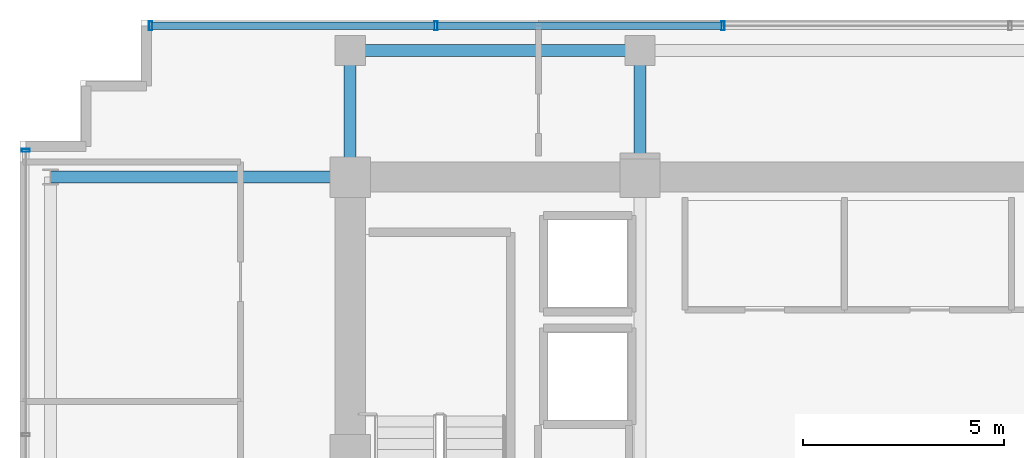
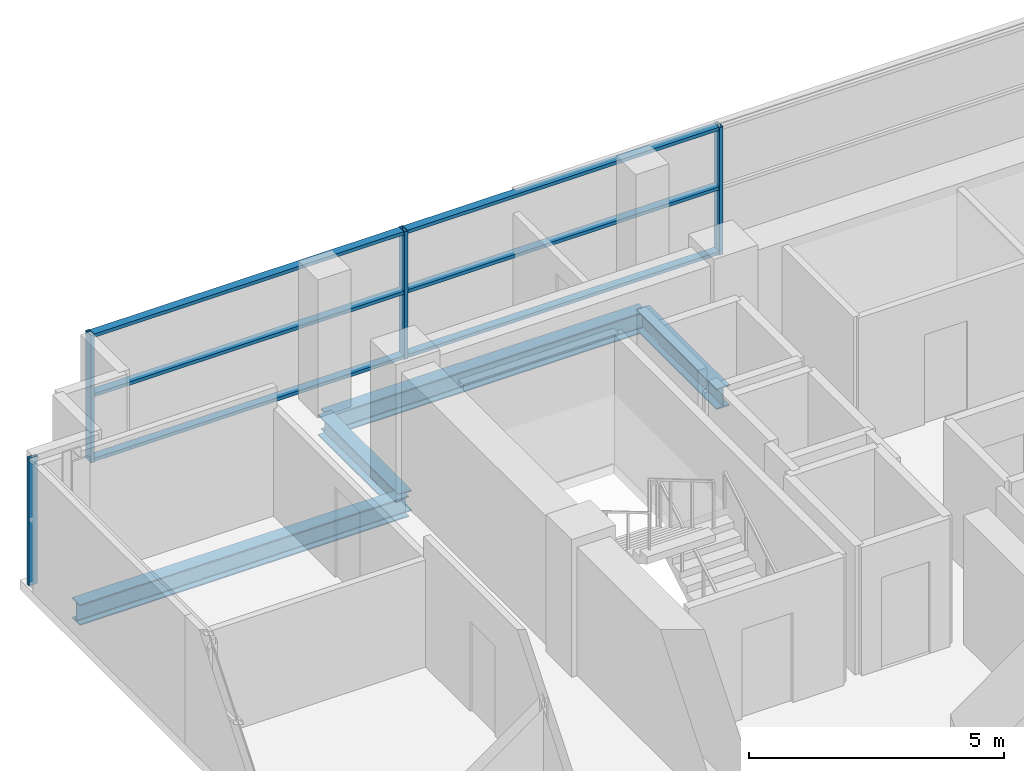
# One storey, part 11 of 23: 10 members, 4 beams, 2 elements without a shape of their own.
"""IFC4 building model written with IfcOpenShell, lengths in metres."""

from ifc_helpers import new_model, si_unit, direction, frame, origin, origin_2d, place, context, subcontext, project, spatial, hollow_rectangle, i_section, extrude, source, transform, mapped, material, layer, layer_set, material_profile, profile_set, type_object, element, aggregate, save


model = new_model("IFC4")

# Units and contexts
model_context = context("Model", 3, precision=1e-05, world=origin(), true_north=direction((0.0, 1.0)))
body_context = subcontext(model_context, "Body", "Model", "MODEL_VIEW")
ifc_project = project(units=[si_unit("LENGTHUNIT", "METRE"), si_unit("AREAUNIT", "SQUARE_METRE"), si_unit("VOLUMEUNIT", "CUBIC_METRE"), si_unit("PLANEANGLEUNIT", "RADIAN"), si_unit("MASSUNIT", "GRAM", prefix="KILO")], contexts=[model_context])

# Site, building, storey
site_placement = place(None, origin())
site = spatial("IfcSite", under=ifc_project, at=site_placement, CompositionType="ELEMENT")
building_placement = place(site_placement, origin())
building = spatial("IfcBuilding", under=site, at=building_placement, Name="Zarnakvel Exchange Tower", CompositionType="ELEMENT")
storey_placement = place(building_placement, frame((0.0, 0.0, 175.89990234375)))
storey = spatial("IfcBuildingStorey", under=building, at=storey_placement, Name="L49", CompositionType="ELEMENT", Elevation=175.89990234375)

# Beams
ifc_material_1 = material(Name="Steel S355", Category="steel")
ifc_material_profile_1 = material_profile(ifc_material_1, i_section(OverallWidth=0.300048828125, OverallDepth=0.5, WebThickness=0.014404296875, FlangeThickness=0.028076171875, FilletRadius=0.027099609375, at=origin_2d()))
ifc_profile_set_1 = profile_set([ifc_material_profile_1], Name="Steel S355")
beam_type_1 = type_object("IfcBeamType", Name="G-06", PredefinedType="BEAM", material=ifc_profile_set_1)
beam_1_placement = place(storey_placement, frame((-21.85009765625, 13.5, -0.474853515625), z_axis=(1.0, 0.0, 0.0), x_axis=(0.0, 1.0, 0.0)))
element("IfcBeam", 1, at=beam_1_placement, inside=storey, type_object=beam_type_1, Name="L49 Tower E-W Frame Beam", PredefinedType="BEAM", context=body_context, shape_type="SweptSolid", body=[
    extrude(i_section(OverallWidth=0.300048828125, OverallDepth=0.5, WebThickness=0.014404296875, FlangeThickness=0.028076171875, FilletRadius=0.027099609375, at=origin_2d()), origin(), (0.0, 0.0, 1.0), 7.4501953125),
])
for number, where, z_axis, x_axis, name in (
    (2, (-14.39990234375, 13.5, -0.474853515625), (0.0, 1.0, 0.0), (-1.0, 0.0, 0.0), "L49 Tower N-S Frame Beam"),
    (3, (-7.199951171875, 13.5, -0.474853515625), (0.0, 1.0, 0.0), (-1.0, 0.0, 0.0), "L49 Tower N-S Frame Beam"),
):
    element("IfcBeam", number, at=place(storey_placement, frame(where, z_axis=z_axis, x_axis=x_axis)), inside=storey, type_object=beam_type_1, Name=name, PredefinedType="BEAM", context=body_context, shape_type="SweptSolid", body=[
        extrude(i_section(OverallWidth=0.300048828125, OverallDepth=0.5, WebThickness=0.014404296875, FlangeThickness=0.028076171875, FilletRadius=0.027099609375, at=origin_2d()), origin(), (0.0, 0.0, 1.0), 3.14990234375),
    ])
ifc_material_profile_2 = material_profile(ifc_material_1, i_section(OverallWidth=0.300048828125, OverallDepth=0.5, WebThickness=0.014404296875, FlangeThickness=0.028076171875, FilletRadius=0.027099609375, at=origin_2d()))
ifc_profile_set_2 = profile_set([ifc_material_profile_2], Name="Steel S355")
beam_type_2 = type_object("IfcBeamType", Name="SP-02", PredefinedType="SPANDREL", material=ifc_profile_set_2)
beam_2_placement = place(storey_placement, frame((-14.39990234375, 16.64990234375, -0.474853515625), z_axis=(1.0, 0.0, 0.0), x_axis=(0.0, 1.0, 0.0)))
element("IfcBeam", 4, at=beam_2_placement, inside=storey, type_object=beam_type_2, Name="L49 Tower E-W Frame Beam", PredefinedType="SPANDREL", context=body_context, shape_type="SweptSolid", body=[
    extrude(i_section(OverallWidth=0.300048828125, OverallDepth=0.5, WebThickness=0.014404296875, FlangeThickness=0.028076171875, FilletRadius=0.027099609375, at=origin_2d()), origin(), (0.0, 0.0, 1.0), 7.199951171875),
])

# Curtain wall, member
ifc_material_2 = material(Name="Architectural Bronze Anodised Aluminium", Category="aluminium")
ifc_layer_1 = layer(ifc_material_2, 0.199951171875)
ifc_layer_set_1 = layer_set([ifc_layer_1], Name="Architectural Bronze Anodised Aluminium")
curtain_wall_type_1 = type_object("IfcCurtainWallType", Name="CW-04", PredefinedType="NOTDEFINED", material=ifc_layer_set_1)
curtain_wall_1_placement = place(storey_placement, origin())
curtain_wall_1 = element("IfcCurtainWall", 5, at=curtain_wall_1_placement, inside=storey, type_object=curtain_wall_type_1, Name="L49 Curtain Wall CW-L49-W1 (CW-04)", PredefinedType="NOTDEFINED")
ifc_material_profile_3 = material_profile(ifc_material_2, hollow_rectangle(XDim=0.199951171875, YDim=0.074951171875, WallThickness=0.0048828125, at=origin_2d()))
ifc_profile_set_3 = profile_set([ifc_material_profile_3], Name="Architectural Bronze Anodised Aluminium")
member_type_1 = type_object("IfcMemberType", Name="CWM-04", PredefinedType="MULLION", material=ifc_profile_set_3)
shared_shape_1 = source(origin(), body_context, "Body", "SweptSolid", [
    extrude(hollow_rectangle(XDim=0.199951171875, YDim=0.074951171875, WallThickness=0.0048828125, at=origin_2d()), origin(), (0.0, 0.0, 1.0), 3.05517578125),
])
member_1_placement = place(storey_placement, frame((-22.4599609375, 14.16259765625, 0.0), z_axis=(0.0, 0.0, 1.0), x_axis=(-1.0, 0.0, 0.0)))
member_1 = element("IfcMember", 6, at=member_1_placement, type_object=member_type_1, Name="CW-04 mullion 5", PredefinedType="MULLION", context=body_context, shape_type="MappedRepresentation", body=[
    mapped(shared_shape_1, transform((0.0, 0.0, 0.0), x_axis=(1.0, 0.0, 0.0), y_axis=(0.0, 1.0, 0.0), z_axis=(0.0, 0.0, 1.0), scale=1.0)),
])
aggregate(curtain_wall_1, [member_1])

# Curtain wall, members
ifc_layer_2 = layer(ifc_material_2, 0.219970703125)
ifc_layer_set_2 = layer_set([ifc_layer_2], Name="Architectural Bronze Anodised Aluminium")
curtain_wall_type_2 = type_object("IfcCurtainWallType", Name="CW-03", PredefinedType="NOTDEFINED", material=ifc_layer_set_2)
curtain_wall_2_placement = place(storey_placement, origin())
curtain_wall_2 = element("IfcCurtainWall", 7, at=curtain_wall_2_placement, inside=storey, type_object=curtain_wall_type_2, Name="L49 Curtain Wall CW-L49-N1 (CW-03)", PredefinedType="NOTDEFINED")
ifc_material_profile_4 = material_profile(ifc_material_2, hollow_rectangle(XDim=0.179931640625, YDim=0.080078125, WallThickness=0.00390625, at=origin_2d()))
ifc_profile_set_4 = profile_set([ifc_material_profile_4], Name="Architectural Bronze Anodised Aluminium")
member_type_2 = type_object("IfcMemberType", Name="CWT-03", PredefinedType="USERDEFINED", material=ifc_profile_set_4)
shared_shape_2 = source(origin(), body_context, "Body", "SweptSolid", [
    extrude(hollow_rectangle(XDim=0.179931640625, YDim=0.080078125, WallThickness=0.00390625, at=origin_2d()), origin(), (0.0, 0.0, 1.0), 7.013427734375),
])
member_2_placement = place(storey_placement, frame((-19.320068359375, 17.260009765625, 0.0400390625), z_axis=(1.0, 0.0, 0.0), x_axis=(0.0, 1.0, 0.0)))
member_2 = element("IfcMember", 8, at=member_2_placement, type_object=member_type_2, Name="CW-03 transom 1.1", ObjectType="TRANSOM", PredefinedType="USERDEFINED", context=body_context, shape_type="MappedRepresentation", body=[
    mapped(shared_shape_2, transform((0.0, 0.0, 0.0), x_axis=(1.0, 0.0, 0.0), y_axis=(0.0, 1.0, 0.0), z_axis=(0.0, 0.0, 1.0), scale=1.0)),
])
member_3_placement = place(storey_placement, frame((-19.320068359375, 17.260009765625, 1.588623046875), z_axis=(1.0, 0.0, 0.0), x_axis=(0.0, 1.0, 0.0)))
member_3 = element("IfcMember", 9, at=member_3_placement, type_object=member_type_2, Name="CW-03 transom 1.2", ObjectType="TRANSOM", PredefinedType="USERDEFINED", context=body_context, shape_type="MappedRepresentation", body=[
    mapped(shared_shape_2, transform((0.0, 0.0, 0.0), x_axis=(1.0, 0.0, 0.0), y_axis=(0.0, 1.0, 0.0), z_axis=(0.0, 0.0, 1.0), scale=1.0)),
])
member_4_placement = place(storey_placement, frame((-19.320068359375, 17.260009765625, 3.01513671875), z_axis=(1.0, 0.0, 0.0), x_axis=(0.0, 1.0, 0.0)))
member_4 = element("IfcMember", 10, at=member_4_placement, type_object=member_type_2, Name="CW-03 transom 1.3", ObjectType="TRANSOM", PredefinedType="USERDEFINED", context=body_context, shape_type="MappedRepresentation", body=[
    mapped(shared_shape_2, transform((0.0, 0.0, 0.0), x_axis=(1.0, 0.0, 0.0), y_axis=(0.0, 1.0, 0.0), z_axis=(0.0, 0.0, 1.0), scale=1.0)),
])
shared_shape_3 = source(origin(), body_context, "Body", "SweptSolid", [
    extrude(hollow_rectangle(XDim=0.179931640625, YDim=0.080078125, WallThickness=0.00390625, at=origin_2d()), origin(), (0.0, 0.0, 1.0), 7.05322265625),
])
member_5_placement = place(storey_placement, frame((-12.2265625, 17.260009765625, 0.0400390625), z_axis=(1.0, 0.0, 0.0), x_axis=(0.0, 1.0, 0.0)))
member_5 = element("IfcMember", 11, at=member_5_placement, type_object=member_type_2, Name="CW-03 transom 2.1", ObjectType="TRANSOM", PredefinedType="USERDEFINED", context=body_context, shape_type="MappedRepresentation", body=[
    mapped(shared_shape_3, transform((0.0, 0.0, 0.0), x_axis=(1.0, 0.0, 0.0), y_axis=(0.0, 1.0, 0.0), z_axis=(0.0, 0.0, 1.0), scale=1.0)),
])
member_6_placement = place(storey_placement, frame((-12.2265625, 17.260009765625, 1.588623046875), z_axis=(1.0, 0.0, 0.0), x_axis=(0.0, 1.0, 0.0)))
member_6 = element("IfcMember", 12, at=member_6_placement, type_object=member_type_2, Name="CW-03 transom 2.2", ObjectType="TRANSOM", PredefinedType="USERDEFINED", context=body_context, shape_type="MappedRepresentation", body=[
    mapped(shared_shape_3, transform((0.0, 0.0, 0.0), x_axis=(1.0, 0.0, 0.0), y_axis=(0.0, 1.0, 0.0), z_axis=(0.0, 0.0, 1.0), scale=1.0)),
])
member_7_placement = place(storey_placement, frame((-12.2265625, 17.260009765625, 3.01513671875), z_axis=(1.0, 0.0, 0.0), x_axis=(0.0, 1.0, 0.0)))
member_7 = element("IfcMember", 13, at=member_7_placement, type_object=member_type_2, Name="CW-03 transom 2.3", ObjectType="TRANSOM", PredefinedType="USERDEFINED", context=body_context, shape_type="MappedRepresentation", body=[
    mapped(shared_shape_3, transform((0.0, 0.0, 0.0), x_axis=(1.0, 0.0, 0.0), y_axis=(0.0, 1.0, 0.0), z_axis=(0.0, 0.0, 1.0), scale=1.0)),
])
ifc_material_profile_5 = material_profile(ifc_material_2, hollow_rectangle(XDim=0.219970703125, YDim=0.080078125, WallThickness=0.0048828125, at=origin_2d()))
ifc_profile_set_5 = profile_set([ifc_material_profile_5], Name="Architectural Bronze Anodised Aluminium")
member_type_3 = type_object("IfcMemberType", Name="CWM-03", PredefinedType="MULLION", material=ifc_profile_set_5)
shared_shape_4 = source(origin(), body_context, "Body", "SweptSolid", [
    extrude(hollow_rectangle(XDim=0.219970703125, YDim=0.080078125, WallThickness=0.0048828125, at=origin_2d()), origin(), (0.0, 0.0, 1.0), 3.05517578125),
])
member_8_placement = place(storey_placement, frame((-19.360107421875, 17.260009765625, 0.0), z_axis=(0.0, 0.0, 1.0), x_axis=(0.0, 1.0, 0.0)))
member_8 = element("IfcMember", 14, at=member_8_placement, type_object=member_type_3, Name="CW-03 mullion 1", PredefinedType="MULLION", context=body_context, shape_type="MappedRepresentation", body=[
    mapped(shared_shape_4, transform((0.0, 0.0, 0.0), x_axis=(1.0, 0.0, 0.0), y_axis=(0.0, 1.0, 0.0), z_axis=(0.0, 0.0, 1.0), scale=1.0)),
])
member_9_placement = place(storey_placement, frame((-12.2666015625, 17.260009765625, 0.0), z_axis=(0.0, 0.0, 1.0), x_axis=(0.0, 1.0, 0.0)))
member_9 = element("IfcMember", 15, at=member_9_placement, type_object=member_type_3, Name="CW-03 mullion 2", PredefinedType="MULLION", context=body_context, shape_type="MappedRepresentation", body=[
    mapped(shared_shape_4, transform((0.0, 0.0, 0.0), x_axis=(1.0, 0.0, 0.0), y_axis=(0.0, 1.0, 0.0), z_axis=(0.0, 0.0, 1.0), scale=1.0)),
])
member_10_placement = place(storey_placement, frame((-5.13330078125, 17.260009765625, 0.0), z_axis=(0.0, 0.0, 1.0), x_axis=(0.0, 1.0, 0.0)))
member_10 = element("IfcMember", 16, at=member_10_placement, type_object=member_type_3, Name="CW-03 mullion 3", PredefinedType="MULLION", context=body_context, shape_type="MappedRepresentation", body=[
    mapped(shared_shape_4, transform((0.0, 0.0, 0.0), x_axis=(1.0, 0.0, 0.0), y_axis=(0.0, 1.0, 0.0), z_axis=(0.0, 0.0, 1.0), scale=1.0)),
])
aggregate(curtain_wall_2, [member_8, member_9, member_10, member_2, member_3, member_4, member_5, member_6, member_7])

save(model, "model.ifc")
